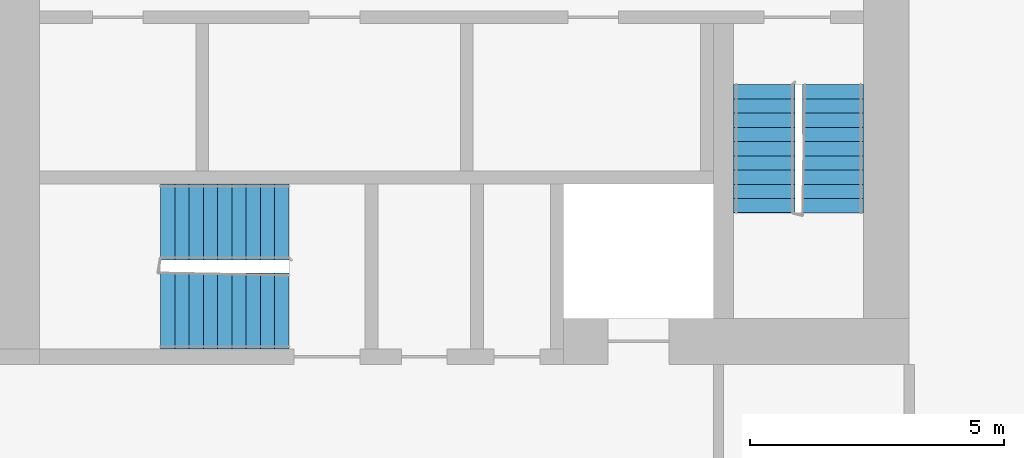
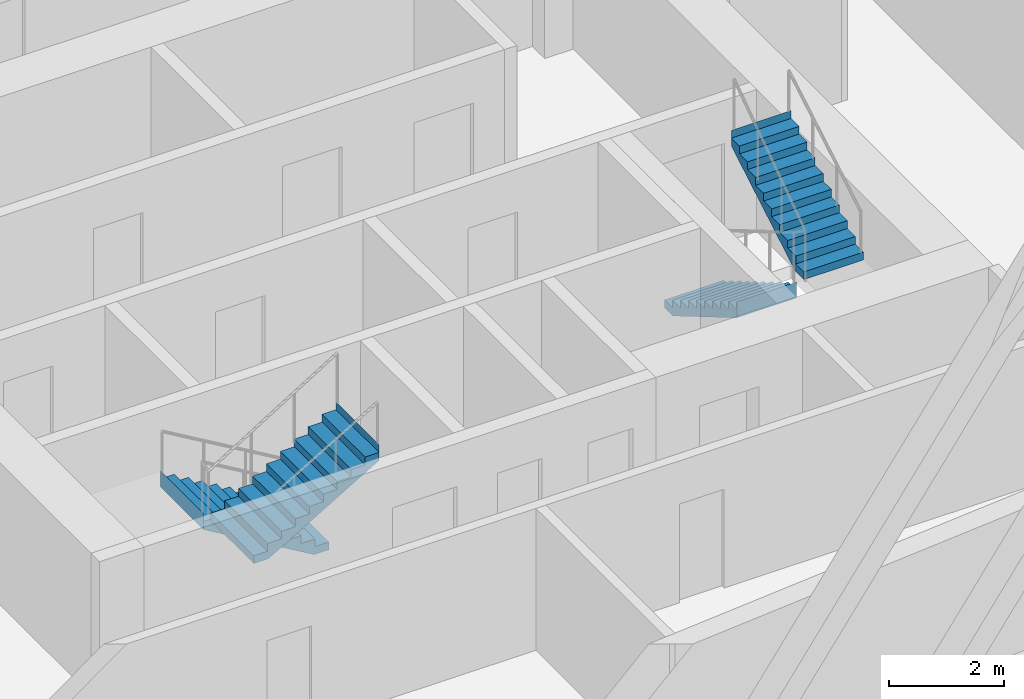
# One storey, part 8 of 12: 4 stair flights, 2 elements without a shape of their own.
"""IFC4 building model written with IfcOpenShell, lengths in metres."""

from ifc_helpers import new_model, si_unit, direction, frame, origin, place, context, subcontext, project, spatial, faceted_brep, material, type_object, element, aggregate, save


model = new_model("IFC4")

# Units and contexts
model_context = context("Model", 3, precision=1e-05, world=origin(), true_north=direction((0.0, 1.0)))
body_context = subcontext(model_context, "Body", "Model", "MODEL_VIEW")
ifc_project = project(units=[si_unit("LENGTHUNIT", "METRE"), si_unit("AREAUNIT", "SQUARE_METRE"), si_unit("VOLUMEUNIT", "CUBIC_METRE"), si_unit("PLANEANGLEUNIT", "RADIAN"), si_unit("MASSUNIT", "GRAM", prefix="KILO")], contexts=[model_context])

# Site, building, storey
site_placement = place(None, origin())
site = spatial("IfcSite", under=ifc_project, at=site_placement, CompositionType="ELEMENT")
building_placement = place(site_placement, origin())
building = spatial("IfcBuilding", under=site, at=building_placement, Name="Kajstack Hotel Tower", CompositionType="ELEMENT")
storey_placement = place(building_placement, frame((0.0, 0.0, 278.39990234375)))
storey = spatial("IfcBuildingStorey", under=building, at=storey_placement, Name="L69", CompositionType="ELEMENT", Elevation=278.39990234375)

# Stair, stair flights
ifc_material = material(Name="Concrete C40/50", Category="concrete")
stair_type_1 = type_object("IfcStairType", Name="Exit stair 1200", PredefinedType="HALF_TURN_STAIR", material=ifc_material)
stair_1_placement = place(storey_placement, origin())
stair_1 = element("IfcStair", 1, at=stair_1_placement, inside=storey, type_object=stair_type_1, Name="L69 stair W2", PredefinedType="HALF_TURN_STAIR")
stair_flight_type_1 = type_object("IfcStairFlightType", Name="Exit stair flight 1200", PredefinedType="STRAIGHT", material=ifc_material)
stair_flight_1_placement = place(storey_placement, frame((-16.35009765625, -10.0, 0.0), z_axis=(0.0, 0.0, 1.0), x_axis=(0.0, -1.0, 0.0)))
stair_flight_1 = element("IfcStairFlight", 2, at=stair_flight_1_placement, type_object=stair_flight_type_1, Name="W2 flight 1", NumberOfRisers=10, NumberOfTreads=9, PredefinedType="STRAIGHT", RiserHeight=0.165, TreadLength=0.28, context=body_context, shape_type="Brep", body=[
    faceted_brep([(0.295654296875, -0.60009765625, 0.0), (2.5205078125, -0.60009765625, 1.31103515625), (2.5205078125, -0.60009765625, 1.64990234375), (2.52001953125, -0.60009765625, 1.64990234375), (2.52001953125, -0.60009765625, 1.485107421875), (2.239990234375, -0.60009765625, 1.485107421875), (2.239990234375, -0.60009765625, 1.320068359375), (1.9599609375, -0.60009765625, 1.320068359375), (1.9599609375, -0.60009765625, 1.155029296875), (1.679931640625, -0.60009765625, 1.155029296875), (1.679931640625, -0.60009765625, 0.989990234375), (1.39990234375, -0.60009765625, 0.989990234375), (1.39990234375, -0.60009765625, 0.824951171875), (1.1201171875, -0.60009765625, 0.824951171875), (1.1201171875, -0.60009765625, 0.659912109375), (0.840087890625, -0.60009765625, 0.659912109375), (0.840087890625, -0.60009765625, 0.4951171875), (0.56005859375, -0.60009765625, 0.4951171875), (0.56005859375, -0.60009765625, 0.330078125), (0.280029296875, -0.60009765625, 0.330078125), (0.280029296875, -0.60009765625, 0.1650390625), (-0.00048828125, -0.60009765625, 0.1650390625), (-0.00048828125, -0.60009765625, 0.0), (-0.00048828125, 0.60009765625, 0.0), (-0.00048828125, 0.60009765625, 0.1650390625), (0.280029296875, 0.60009765625, 0.1650390625), (0.280029296875, 0.60009765625, 0.330078125), (0.56005859375, 0.60009765625, 0.330078125), (0.56005859375, 0.60009765625, 0.4951171875), (0.840087890625, 0.60009765625, 0.4951171875), (0.840087890625, 0.60009765625, 0.659912109375), (1.1201171875, 0.60009765625, 0.659912109375), (1.1201171875, 0.60009765625, 0.824951171875), (1.39990234375, 0.60009765625, 0.824951171875), (1.39990234375, 0.60009765625, 0.989990234375), (1.679931640625, 0.60009765625, 0.989990234375), (1.679931640625, 0.60009765625, 1.155029296875), (1.9599609375, 0.60009765625, 1.155029296875), (1.9599609375, 0.60009765625, 1.320068359375), (2.239990234375, 0.60009765625, 1.320068359375), (2.239990234375, 0.60009765625, 1.485107421875), (2.52001953125, 0.60009765625, 1.485107421875), (2.52001953125, 0.60009765625, 1.64990234375), (2.5205078125, 0.60009765625, 1.64990234375), (2.5205078125, 0.60009765625, 1.31103515625), (0.295654296875, 0.60009765625, 0.0), (-0.00048828125, -0.300048828125, 0.1650390625), (-0.00048828125, 0.0, 0.1650390625), (-0.00048828125, 0.300048828125, 0.1650390625), (-0.00048828125, 0.300048828125, 0.0), (-0.00048828125, 0.0, 0.0), (-0.00048828125, -0.300048828125, 0.0), (0.280029296875, -0.300048828125, 0.1650390625), (0.280029296875, 0.0, 0.1650390625), (0.280029296875, 0.300048828125, 0.1650390625), (0.280029296875, -0.300048828125, 0.330078125), (0.280029296875, 0.0, 0.330078125), (0.280029296875, 0.300048828125, 0.330078125), (0.56005859375, -0.300048828125, 0.330078125), (0.56005859375, 0.0, 0.330078125), (0.56005859375, 0.300048828125, 0.330078125), (0.56005859375, -0.300048828125, 0.4951171875), (0.56005859375, 0.0, 0.4951171875), (0.56005859375, 0.300048828125, 0.4951171875), (0.840087890625, -0.300048828125, 0.4951171875), (0.840087890625, 0.0, 0.4951171875), (0.840087890625, 0.300048828125, 0.4951171875), (0.840087890625, -0.300048828125, 0.659912109375), (0.840087890625, 0.0, 0.659912109375), (0.840087890625, 0.300048828125, 0.659912109375), (1.1201171875, -0.300048828125, 0.659912109375), (1.1201171875, 0.0, 0.659912109375), (1.1201171875, 0.300048828125, 0.659912109375), (1.1201171875, -0.300048828125, 0.824951171875), (1.1201171875, 0.0, 0.824951171875), (1.1201171875, 0.300048828125, 0.824951171875), (1.39990234375, -0.300048828125, 0.824951171875), (1.39990234375, 0.0, 0.824951171875), (1.39990234375, 0.300048828125, 0.824951171875), (1.39990234375, -0.300048828125, 0.989990234375), (1.39990234375, 0.0, 0.989990234375), (1.39990234375, 0.300048828125, 0.989990234375), (1.679931640625, -0.300048828125, 0.989990234375), (1.679931640625, 0.0, 0.989990234375), (1.679931640625, 0.300048828125, 0.989990234375), (1.679931640625, -0.300048828125, 1.155029296875), (1.679931640625, 0.0, 1.155029296875), (1.679931640625, 0.300048828125, 1.155029296875), (1.9599609375, -0.300048828125, 1.155029296875), (1.9599609375, 0.0, 1.155029296875), (1.9599609375, 0.300048828125, 1.155029296875), (1.9599609375, -0.300048828125, 1.320068359375), (1.9599609375, 0.0, 1.320068359375), (1.9599609375, 0.300048828125, 1.320068359375), (2.239990234375, -0.300048828125, 1.320068359375), (2.239990234375, 0.0, 1.320068359375), (2.239990234375, 0.300048828125, 1.320068359375), (2.239990234375, -0.300048828125, 1.485107421875), (2.239990234375, 0.0, 1.485107421875), (2.239990234375, 0.300048828125, 1.485107421875), (2.52001953125, -0.300048828125, 1.485107421875), (2.52001953125, 0.0, 1.485107421875), (2.52001953125, 0.300048828125, 1.485107421875), (2.52001953125, -0.300048828125, 1.64990234375), (2.52001953125, 0.0, 1.64990234375), (2.52001953125, 0.300048828125, 1.64990234375), (2.5205078125, -0.300048828125, 1.64990234375), (2.5205078125, 0.0, 1.64990234375), (2.5205078125, 0.300048828125, 1.64990234375), (2.5205078125, -0.300048828125, 1.31103515625), (2.5205078125, 0.0, 1.31103515625), (2.5205078125, 0.300048828125, 1.31103515625), (0.295654296875, -0.300048828125, 0.0), (0.295654296875, 0.0, 0.0), (0.295654296875, 0.300048828125, 0.0)], [[[0, 1, 2, 3, 4, 5, 6, 7, 8, 9, 10, 11, 12, 13, 14, 15, 16, 17, 18, 19, 20, 21, 22]], [[23, 24, 25, 26, 27, 28, 29, 30, 31, 32, 33, 34, 35, 36, 37, 38, 39, 40, 41, 42, 43, 44, 45]], [[21, 46, 47, 48, 24, 23, 49, 50, 51, 22]], [[20, 52, 53, 54, 25, 24, 48, 47, 46, 21]], [[19, 55, 56, 57, 26, 25, 54, 53, 52, 20]], [[18, 58, 59, 60, 27, 26, 57, 56, 55, 19]], [[17, 61, 62, 63, 28, 27, 60, 59, 58, 18]], [[16, 64, 65, 66, 29, 28, 63, 62, 61, 17]], [[15, 67, 68, 69, 30, 29, 66, 65, 64, 16]], [[14, 70, 71, 72, 31, 30, 69, 68, 67, 15]], [[13, 73, 74, 75, 32, 31, 72, 71, 70, 14]], [[12, 76, 77, 78, 33, 32, 75, 74, 73, 13]], [[11, 79, 80, 81, 34, 33, 78, 77, 76, 12]], [[10, 82, 83, 84, 35, 34, 81, 80, 79, 11]], [[9, 85, 86, 87, 36, 35, 84, 83, 82, 10]], [[8, 88, 89, 90, 37, 36, 87, 86, 85, 9]], [[7, 91, 92, 93, 38, 37, 90, 89, 88, 8]], [[6, 94, 95, 96, 39, 38, 93, 92, 91, 7]], [[5, 97, 98, 99, 40, 39, 96, 95, 94, 6]], [[4, 100, 101, 102, 41, 40, 99, 98, 97, 5]], [[3, 103, 104, 105, 42, 41, 102, 101, 100, 4]], [[2, 106, 107, 108, 43, 42, 105, 104, 103, 3]], [[1, 109, 110, 111, 44, 43, 108, 107, 106, 2]], [[0, 112, 113, 114, 45, 44, 111, 110, 109, 1]], [[22, 51, 50, 49, 23, 45, 114, 113, 112, 0]]]),
])
stair_flight_2_placement = place(storey_placement, frame((-15.0, -12.52001953125, 1.650146484375), z_axis=(0.0, 0.0, 1.0), x_axis=(0.0, 1.0, 0.0)))
stair_flight_2 = element("IfcStairFlight", 3, at=stair_flight_2_placement, type_object=stair_flight_type_1, Name="W2 flight 2", NumberOfRisers=10, NumberOfTreads=9, PredefinedType="STRAIGHT", RiserHeight=0.165, TreadLength=0.28, context=body_context, shape_type="Brep", body=[
    faceted_brep([(0.295654296875, -0.60009765625, 0.0), (2.5205078125, -0.60009765625, 1.31103515625), (2.5205078125, -0.60009765625, 1.64990234375), (2.52001953125, -0.60009765625, 1.64990234375), (2.52001953125, -0.60009765625, 1.485107421875), (2.239990234375, -0.60009765625, 1.485107421875), (2.239990234375, -0.60009765625, 1.320068359375), (1.9599609375, -0.60009765625, 1.320068359375), (1.9599609375, -0.60009765625, 1.155029296875), (1.679931640625, -0.60009765625, 1.155029296875), (1.679931640625, -0.60009765625, 0.989990234375), (1.39990234375, -0.60009765625, 0.989990234375), (1.39990234375, -0.60009765625, 0.824951171875), (1.1201171875, -0.60009765625, 0.824951171875), (1.1201171875, -0.60009765625, 0.659912109375), (0.840087890625, -0.60009765625, 0.659912109375), (0.840087890625, -0.60009765625, 0.4951171875), (0.56005859375, -0.60009765625, 0.4951171875), (0.56005859375, -0.60009765625, 0.330078125), (0.280029296875, -0.60009765625, 0.330078125), (0.280029296875, -0.60009765625, 0.1650390625), (-0.00048828125, -0.60009765625, 0.1650390625), (-0.00048828125, -0.60009765625, 0.0), (-0.00048828125, 0.60009765625, 0.0), (-0.00048828125, 0.60009765625, 0.1650390625), (0.280029296875, 0.60009765625, 0.1650390625), (0.280029296875, 0.60009765625, 0.330078125), (0.56005859375, 0.60009765625, 0.330078125), (0.56005859375, 0.60009765625, 0.4951171875), (0.840087890625, 0.60009765625, 0.4951171875), (0.840087890625, 0.60009765625, 0.659912109375), (1.1201171875, 0.60009765625, 0.659912109375), (1.1201171875, 0.60009765625, 0.824951171875), (1.39990234375, 0.60009765625, 0.824951171875), (1.39990234375, 0.60009765625, 0.989990234375), (1.679931640625, 0.60009765625, 0.989990234375), (1.679931640625, 0.60009765625, 1.155029296875), (1.9599609375, 0.60009765625, 1.155029296875), (1.9599609375, 0.60009765625, 1.320068359375), (2.239990234375, 0.60009765625, 1.320068359375), (2.239990234375, 0.60009765625, 1.485107421875), (2.52001953125, 0.60009765625, 1.485107421875), (2.52001953125, 0.60009765625, 1.64990234375), (2.5205078125, 0.60009765625, 1.64990234375), (2.5205078125, 0.60009765625, 1.31103515625), (0.295654296875, 0.60009765625, 0.0), (-0.00048828125, -0.300048828125, 0.1650390625), (-0.00048828125, 0.0, 0.1650390625), (-0.00048828125, 0.300048828125, 0.1650390625), (-0.00048828125, 0.300048828125, 0.0), (-0.00048828125, 0.0, 0.0), (-0.00048828125, -0.300048828125, 0.0), (0.280029296875, -0.300048828125, 0.1650390625), (0.280029296875, 0.0, 0.1650390625), (0.280029296875, 0.300048828125, 0.1650390625), (0.280029296875, -0.300048828125, 0.330078125), (0.280029296875, 0.0, 0.330078125), (0.280029296875, 0.300048828125, 0.330078125), (0.56005859375, -0.300048828125, 0.330078125), (0.56005859375, 0.0, 0.330078125), (0.56005859375, 0.300048828125, 0.330078125), (0.56005859375, -0.300048828125, 0.4951171875), (0.56005859375, 0.0, 0.4951171875), (0.56005859375, 0.300048828125, 0.4951171875), (0.840087890625, -0.300048828125, 0.4951171875), (0.840087890625, 0.0, 0.4951171875), (0.840087890625, 0.300048828125, 0.4951171875), (0.840087890625, -0.300048828125, 0.659912109375), (0.840087890625, 0.0, 0.659912109375), (0.840087890625, 0.300048828125, 0.659912109375), (1.1201171875, -0.300048828125, 0.659912109375), (1.1201171875, 0.0, 0.659912109375), (1.1201171875, 0.300048828125, 0.659912109375), (1.1201171875, -0.300048828125, 0.824951171875), (1.1201171875, 0.0, 0.824951171875), (1.1201171875, 0.300048828125, 0.824951171875), (1.39990234375, -0.300048828125, 0.824951171875), (1.39990234375, 0.0, 0.824951171875), (1.39990234375, 0.300048828125, 0.824951171875), (1.39990234375, -0.300048828125, 0.989990234375), (1.39990234375, 0.0, 0.989990234375), (1.39990234375, 0.300048828125, 0.989990234375), (1.679931640625, -0.300048828125, 0.989990234375), (1.679931640625, 0.0, 0.989990234375), (1.679931640625, 0.300048828125, 0.989990234375), (1.679931640625, -0.300048828125, 1.155029296875), (1.679931640625, 0.0, 1.155029296875), (1.679931640625, 0.300048828125, 1.155029296875), (1.9599609375, -0.300048828125, 1.155029296875), (1.9599609375, 0.0, 1.155029296875), (1.9599609375, 0.300048828125, 1.155029296875), (1.9599609375, -0.300048828125, 1.320068359375), (1.9599609375, 0.0, 1.320068359375), (1.9599609375, 0.300048828125, 1.320068359375), (2.239990234375, -0.300048828125, 1.320068359375), (2.239990234375, 0.0, 1.320068359375), (2.239990234375, 0.300048828125, 1.320068359375), (2.239990234375, -0.300048828125, 1.485107421875), (2.239990234375, 0.0, 1.485107421875), (2.239990234375, 0.300048828125, 1.485107421875), (2.52001953125, -0.300048828125, 1.485107421875), (2.52001953125, 0.0, 1.485107421875), (2.52001953125, 0.300048828125, 1.485107421875), (2.52001953125, -0.300048828125, 1.64990234375), (2.52001953125, 0.0, 1.64990234375), (2.52001953125, 0.300048828125, 1.64990234375), (2.5205078125, -0.300048828125, 1.64990234375), (2.5205078125, 0.0, 1.64990234375), (2.5205078125, 0.300048828125, 1.64990234375), (2.5205078125, -0.300048828125, 1.31103515625), (2.5205078125, 0.0, 1.31103515625), (2.5205078125, 0.300048828125, 1.31103515625), (0.295654296875, -0.300048828125, 0.0), (0.295654296875, 0.0, 0.0), (0.295654296875, 0.300048828125, 0.0)], [[[0, 1, 2, 3, 4, 5, 6, 7, 8, 9, 10, 11, 12, 13, 14, 15, 16, 17, 18, 19, 20, 21, 22]], [[23, 24, 25, 26, 27, 28, 29, 30, 31, 32, 33, 34, 35, 36, 37, 38, 39, 40, 41, 42, 43, 44, 45]], [[21, 46, 47, 48, 24, 23, 49, 50, 51, 22]], [[20, 52, 53, 54, 25, 24, 48, 47, 46, 21]], [[19, 55, 56, 57, 26, 25, 54, 53, 52, 20]], [[18, 58, 59, 60, 27, 26, 57, 56, 55, 19]], [[17, 61, 62, 63, 28, 27, 60, 59, 58, 18]], [[16, 64, 65, 66, 29, 28, 63, 62, 61, 17]], [[15, 67, 68, 69, 30, 29, 66, 65, 64, 16]], [[14, 70, 71, 72, 31, 30, 69, 68, 67, 15]], [[13, 73, 74, 75, 32, 31, 72, 71, 70, 14]], [[12, 76, 77, 78, 33, 32, 75, 74, 73, 13]], [[11, 79, 80, 81, 34, 33, 78, 77, 76, 12]], [[10, 82, 83, 84, 35, 34, 81, 80, 79, 11]], [[9, 85, 86, 87, 36, 35, 84, 83, 82, 10]], [[8, 88, 89, 90, 37, 36, 87, 86, 85, 9]], [[7, 91, 92, 93, 38, 37, 90, 89, 88, 8]], [[6, 94, 95, 96, 39, 38, 93, 92, 91, 7]], [[5, 97, 98, 99, 40, 39, 96, 95, 94, 6]], [[4, 100, 101, 102, 41, 40, 99, 98, 97, 5]], [[3, 103, 104, 105, 42, 41, 102, 101, 100, 4]], [[2, 106, 107, 108, 43, 42, 105, 104, 103, 3]], [[1, 109, 110, 111, 44, 43, 108, 107, 106, 2]], [[0, 112, 113, 114, 45, 44, 111, 110, 109, 1]], [[22, 51, 50, 49, 23, 45, 114, 113, 112, 0]]]),
])
aggregate(stair_1, [stair_flight_1, stair_flight_2])

stair_type_2 = type_object("IfcStairType", Name="Exit stair 1500", PredefinedType="HALF_TURN_STAIR", material=ifc_material)
stair_2_placement = place(storey_placement, origin())
stair_2 = element("IfcStair", 4, at=stair_2_placement, inside=storey, type_object=stair_type_2, Name="L69 stair W3", PredefinedType="HALF_TURN_STAIR")
stair_flight_type_2 = type_object("IfcStairFlightType", Name="Exit stair flight 1500", PredefinedType="STRAIGHT", material=ifc_material)
stair_flight_3_placement = place(storey_placement, frame((-25.699951171875, -12.699951171875, 0.0), z_axis=(0.0, 0.0, 1.0), x_axis=(-1.0, 0.0, 0.0)))
stair_flight_3 = element("IfcStairFlight", 5, at=stair_flight_3_placement, type_object=stair_flight_type_2, Name="W3 flight 1", NumberOfRisers=10, NumberOfTreads=9, PredefinedType="STRAIGHT", RiserHeight=0.165, TreadLength=0.28, context=body_context, shape_type="Brep", body=[
    faceted_brep([(0.295654296875, -0.75, 0.0), (2.5205078125, -0.75, 1.31103515625), (2.5205078125, -0.75, 1.64990234375), (2.52001953125, -0.75, 1.64990234375), (2.52001953125, -0.75, 1.485107421875), (2.239990234375, -0.75, 1.485107421875), (2.239990234375, -0.75, 1.320068359375), (1.9599609375, -0.75, 1.320068359375), (1.9599609375, -0.75, 1.155029296875), (1.679931640625, -0.75, 1.155029296875), (1.679931640625, -0.75, 0.989990234375), (1.39990234375, -0.75, 0.989990234375), (1.39990234375, -0.75, 0.824951171875), (1.1201171875, -0.75, 0.824951171875), (1.1201171875, -0.75, 0.659912109375), (0.840087890625, -0.75, 0.659912109375), (0.840087890625, -0.75, 0.4951171875), (0.56005859375, -0.75, 0.4951171875), (0.56005859375, -0.75, 0.330078125), (0.280029296875, -0.75, 0.330078125), (0.280029296875, -0.75, 0.1650390625), (-0.00048828125, -0.75, 0.1650390625), (-0.00048828125, -0.75, 0.0), (-0.00048828125, 0.75, 0.0), (-0.00048828125, 0.75, 0.1650390625), (0.280029296875, 0.75, 0.1650390625), (0.280029296875, 0.75, 0.330078125), (0.56005859375, 0.75, 0.330078125), (0.56005859375, 0.75, 0.4951171875), (0.840087890625, 0.75, 0.4951171875), (0.840087890625, 0.75, 0.659912109375), (1.1201171875, 0.75, 0.659912109375), (1.1201171875, 0.75, 0.824951171875), (1.39990234375, 0.75, 0.824951171875), (1.39990234375, 0.75, 0.989990234375), (1.679931640625, 0.75, 0.989990234375), (1.679931640625, 0.75, 1.155029296875), (1.9599609375, 0.75, 1.155029296875), (1.9599609375, 0.75, 1.320068359375), (2.239990234375, 0.75, 1.320068359375), (2.239990234375, 0.75, 1.485107421875), (2.52001953125, 0.75, 1.485107421875), (2.52001953125, 0.75, 1.64990234375), (2.5205078125, 0.75, 1.64990234375), (2.5205078125, 0.75, 1.31103515625), (0.295654296875, 0.75, 0.0), (-0.00048828125, -0.375, 0.1650390625), (-0.00048828125, 0.0, 0.1650390625), (-0.00048828125, 0.375, 0.1650390625), (-0.00048828125, 0.375, 0.0), (-0.00048828125, 0.0, 0.0), (-0.00048828125, -0.375, 0.0), (0.280029296875, -0.375, 0.1650390625), (0.280029296875, 0.0, 0.1650390625), (0.280029296875, 0.375, 0.1650390625), (0.280029296875, -0.375, 0.330078125), (0.280029296875, 0.0, 0.330078125), (0.280029296875, 0.375, 0.330078125), (0.56005859375, -0.375, 0.330078125), (0.56005859375, 0.0, 0.330078125), (0.56005859375, 0.375, 0.330078125), (0.56005859375, -0.375, 0.4951171875), (0.56005859375, 0.0, 0.4951171875), (0.56005859375, 0.375, 0.4951171875), (0.840087890625, -0.375, 0.4951171875), (0.840087890625, 0.0, 0.4951171875), (0.840087890625, 0.375, 0.4951171875), (0.840087890625, -0.375, 0.659912109375), (0.840087890625, 0.0, 0.659912109375), (0.840087890625, 0.375, 0.659912109375), (1.1201171875, -0.375, 0.659912109375), (1.1201171875, 0.0, 0.659912109375), (1.1201171875, 0.375, 0.659912109375), (1.1201171875, -0.375, 0.824951171875), (1.1201171875, 0.0, 0.824951171875), (1.1201171875, 0.375, 0.824951171875), (1.39990234375, -0.375, 0.824951171875), (1.39990234375, 0.0, 0.824951171875), (1.39990234375, 0.375, 0.824951171875), (1.39990234375, -0.375, 0.989990234375), (1.39990234375, 0.0, 0.989990234375), (1.39990234375, 0.375, 0.989990234375), (1.679931640625, -0.375, 0.989990234375), (1.679931640625, 0.0, 0.989990234375), (1.679931640625, 0.375, 0.989990234375), (1.679931640625, -0.375, 1.155029296875), (1.679931640625, 0.0, 1.155029296875), (1.679931640625, 0.375, 1.155029296875), (1.9599609375, -0.375, 1.155029296875), (1.9599609375, 0.0, 1.155029296875), (1.9599609375, 0.375, 1.155029296875), (1.9599609375, -0.375, 1.320068359375), (1.9599609375, 0.0, 1.320068359375), (1.9599609375, 0.375, 1.320068359375), (2.239990234375, -0.375, 1.320068359375), (2.239990234375, 0.0, 1.320068359375), (2.239990234375, 0.375, 1.320068359375), (2.239990234375, -0.375, 1.485107421875), (2.239990234375, 0.0, 1.485107421875), (2.239990234375, 0.375, 1.485107421875), (2.52001953125, -0.375, 1.485107421875), (2.52001953125, 0.0, 1.485107421875), (2.52001953125, 0.375, 1.485107421875), (2.52001953125, -0.375, 1.64990234375), (2.52001953125, 0.0, 1.64990234375), (2.52001953125, 0.375, 1.64990234375), (2.5205078125, -0.375, 1.64990234375), (2.5205078125, 0.0, 1.64990234375), (2.5205078125, 0.375, 1.64990234375), (2.5205078125, -0.375, 1.31103515625), (2.5205078125, 0.0, 1.31103515625), (2.5205078125, 0.375, 1.31103515625), (0.295654296875, -0.375, 0.0), (0.295654296875, 0.0, 0.0), (0.295654296875, 0.375, 0.0)], [[[0, 1, 2, 3, 4, 5, 6, 7, 8, 9, 10, 11, 12, 13, 14, 15, 16, 17, 18, 19, 20, 21, 22]], [[23, 24, 25, 26, 27, 28, 29, 30, 31, 32, 33, 34, 35, 36, 37, 38, 39, 40, 41, 42, 43, 44, 45]], [[21, 46, 47, 48, 24, 23, 49, 50, 51, 22]], [[20, 52, 53, 54, 25, 24, 48, 47, 46, 21]], [[19, 55, 56, 57, 26, 25, 54, 53, 52, 20]], [[18, 58, 59, 60, 27, 26, 57, 56, 55, 19]], [[17, 61, 62, 63, 28, 27, 60, 59, 58, 18]], [[16, 64, 65, 66, 29, 28, 63, 62, 61, 17]], [[15, 67, 68, 69, 30, 29, 66, 65, 64, 16]], [[14, 70, 71, 72, 31, 30, 69, 68, 67, 15]], [[13, 73, 74, 75, 32, 31, 72, 71, 70, 14]], [[12, 76, 77, 78, 33, 32, 75, 74, 73, 13]], [[11, 79, 80, 81, 34, 33, 78, 77, 76, 12]], [[10, 82, 83, 84, 35, 34, 81, 80, 79, 11]], [[9, 85, 86, 87, 36, 35, 84, 83, 82, 10]], [[8, 88, 89, 90, 37, 36, 87, 86, 85, 9]], [[7, 91, 92, 93, 38, 37, 90, 89, 88, 8]], [[6, 94, 95, 96, 39, 38, 93, 92, 91, 7]], [[5, 97, 98, 99, 40, 39, 96, 95, 94, 6]], [[4, 100, 101, 102, 41, 40, 99, 98, 97, 5]], [[3, 103, 104, 105, 42, 41, 102, 101, 100, 4]], [[2, 106, 107, 108, 43, 42, 105, 104, 103, 3]], [[1, 109, 110, 111, 44, 43, 108, 107, 106, 2]], [[0, 112, 113, 114, 45, 44, 111, 110, 109, 1]], [[22, 51, 50, 49, 23, 45, 114, 113, 112, 0]]]),
])
stair_flight_4_placement = place(storey_placement, frame((-28.219970703125, -14.449951171875, 1.650146484375), z_axis=(0.0, 0.0, 1.0), x_axis=(1.0, 0.0, 0.0)))
stair_flight_4 = element("IfcStairFlight", 6, at=stair_flight_4_placement, type_object=stair_flight_type_2, Name="W3 flight 2", NumberOfRisers=10, NumberOfTreads=9, PredefinedType="STRAIGHT", RiserHeight=0.165, TreadLength=0.28, context=body_context, shape_type="Brep", body=[
    faceted_brep([(0.295654296875, -0.75, 0.0), (2.5205078125, -0.75, 1.31103515625), (2.5205078125, -0.75, 1.64990234375), (2.52001953125, -0.75, 1.64990234375), (2.52001953125, -0.75, 1.485107421875), (2.239990234375, -0.75, 1.485107421875), (2.239990234375, -0.75, 1.320068359375), (1.9599609375, -0.75, 1.320068359375), (1.9599609375, -0.75, 1.155029296875), (1.679931640625, -0.75, 1.155029296875), (1.679931640625, -0.75, 0.989990234375), (1.39990234375, -0.75, 0.989990234375), (1.39990234375, -0.75, 0.824951171875), (1.1201171875, -0.75, 0.824951171875), (1.1201171875, -0.75, 0.659912109375), (0.840087890625, -0.75, 0.659912109375), (0.840087890625, -0.75, 0.4951171875), (0.56005859375, -0.75, 0.4951171875), (0.56005859375, -0.75, 0.330078125), (0.280029296875, -0.75, 0.330078125), (0.280029296875, -0.75, 0.1650390625), (-0.00048828125, -0.75, 0.1650390625), (-0.00048828125, -0.75, 0.0), (-0.00048828125, 0.75, 0.0), (-0.00048828125, 0.75, 0.1650390625), (0.280029296875, 0.75, 0.1650390625), (0.280029296875, 0.75, 0.330078125), (0.56005859375, 0.75, 0.330078125), (0.56005859375, 0.75, 0.4951171875), (0.840087890625, 0.75, 0.4951171875), (0.840087890625, 0.75, 0.659912109375), (1.1201171875, 0.75, 0.659912109375), (1.1201171875, 0.75, 0.824951171875), (1.39990234375, 0.75, 0.824951171875), (1.39990234375, 0.75, 0.989990234375), (1.679931640625, 0.75, 0.989990234375), (1.679931640625, 0.75, 1.155029296875), (1.9599609375, 0.75, 1.155029296875), (1.9599609375, 0.75, 1.320068359375), (2.239990234375, 0.75, 1.320068359375), (2.239990234375, 0.75, 1.485107421875), (2.52001953125, 0.75, 1.485107421875), (2.52001953125, 0.75, 1.64990234375), (2.5205078125, 0.75, 1.64990234375), (2.5205078125, 0.75, 1.31103515625), (0.295654296875, 0.75, 0.0), (-0.00048828125, -0.375, 0.1650390625), (-0.00048828125, 0.0, 0.1650390625), (-0.00048828125, 0.375, 0.1650390625), (-0.00048828125, 0.375, 0.0), (-0.00048828125, 0.0, 0.0), (-0.00048828125, -0.375, 0.0), (0.280029296875, -0.375, 0.1650390625), (0.280029296875, 0.0, 0.1650390625), (0.280029296875, 0.375, 0.1650390625), (0.280029296875, -0.375, 0.330078125), (0.280029296875, 0.0, 0.330078125), (0.280029296875, 0.375, 0.330078125), (0.56005859375, -0.375, 0.330078125), (0.56005859375, 0.0, 0.330078125), (0.56005859375, 0.375, 0.330078125), (0.56005859375, -0.375, 0.4951171875), (0.56005859375, 0.0, 0.4951171875), (0.56005859375, 0.375, 0.4951171875), (0.840087890625, -0.375, 0.4951171875), (0.840087890625, 0.0, 0.4951171875), (0.840087890625, 0.375, 0.4951171875), (0.840087890625, -0.375, 0.659912109375), (0.840087890625, 0.0, 0.659912109375), (0.840087890625, 0.375, 0.659912109375), (1.1201171875, -0.375, 0.659912109375), (1.1201171875, 0.0, 0.659912109375), (1.1201171875, 0.375, 0.659912109375), (1.1201171875, -0.375, 0.824951171875), (1.1201171875, 0.0, 0.824951171875), (1.1201171875, 0.375, 0.824951171875), (1.39990234375, -0.375, 0.824951171875), (1.39990234375, 0.0, 0.824951171875), (1.39990234375, 0.375, 0.824951171875), (1.39990234375, -0.375, 0.989990234375), (1.39990234375, 0.0, 0.989990234375), (1.39990234375, 0.375, 0.989990234375), (1.679931640625, -0.375, 0.989990234375), (1.679931640625, 0.0, 0.989990234375), (1.679931640625, 0.375, 0.989990234375), (1.679931640625, -0.375, 1.155029296875), (1.679931640625, 0.0, 1.155029296875), (1.679931640625, 0.375, 1.155029296875), (1.9599609375, -0.375, 1.155029296875), (1.9599609375, 0.0, 1.155029296875), (1.9599609375, 0.375, 1.155029296875), (1.9599609375, -0.375, 1.320068359375), (1.9599609375, 0.0, 1.320068359375), (1.9599609375, 0.375, 1.320068359375), (2.239990234375, -0.375, 1.320068359375), (2.239990234375, 0.0, 1.320068359375), (2.239990234375, 0.375, 1.320068359375), (2.239990234375, -0.375, 1.485107421875), (2.239990234375, 0.0, 1.485107421875), (2.239990234375, 0.375, 1.485107421875), (2.52001953125, -0.375, 1.485107421875), (2.52001953125, 0.0, 1.485107421875), (2.52001953125, 0.375, 1.485107421875), (2.52001953125, -0.375, 1.64990234375), (2.52001953125, 0.0, 1.64990234375), (2.52001953125, 0.375, 1.64990234375), (2.5205078125, -0.375, 1.64990234375), (2.5205078125, 0.0, 1.64990234375), (2.5205078125, 0.375, 1.64990234375), (2.5205078125, -0.375, 1.31103515625), (2.5205078125, 0.0, 1.31103515625), (2.5205078125, 0.375, 1.31103515625), (0.295654296875, -0.375, 0.0), (0.295654296875, 0.0, 0.0), (0.295654296875, 0.375, 0.0)], [[[0, 1, 2, 3, 4, 5, 6, 7, 8, 9, 10, 11, 12, 13, 14, 15, 16, 17, 18, 19, 20, 21, 22]], [[23, 24, 25, 26, 27, 28, 29, 30, 31, 32, 33, 34, 35, 36, 37, 38, 39, 40, 41, 42, 43, 44, 45]], [[21, 46, 47, 48, 24, 23, 49, 50, 51, 22]], [[20, 52, 53, 54, 25, 24, 48, 47, 46, 21]], [[19, 55, 56, 57, 26, 25, 54, 53, 52, 20]], [[18, 58, 59, 60, 27, 26, 57, 56, 55, 19]], [[17, 61, 62, 63, 28, 27, 60, 59, 58, 18]], [[16, 64, 65, 66, 29, 28, 63, 62, 61, 17]], [[15, 67, 68, 69, 30, 29, 66, 65, 64, 16]], [[14, 70, 71, 72, 31, 30, 69, 68, 67, 15]], [[13, 73, 74, 75, 32, 31, 72, 71, 70, 14]], [[12, 76, 77, 78, 33, 32, 75, 74, 73, 13]], [[11, 79, 80, 81, 34, 33, 78, 77, 76, 12]], [[10, 82, 83, 84, 35, 34, 81, 80, 79, 11]], [[9, 85, 86, 87, 36, 35, 84, 83, 82, 10]], [[8, 88, 89, 90, 37, 36, 87, 86, 85, 9]], [[7, 91, 92, 93, 38, 37, 90, 89, 88, 8]], [[6, 94, 95, 96, 39, 38, 93, 92, 91, 7]], [[5, 97, 98, 99, 40, 39, 96, 95, 94, 6]], [[4, 100, 101, 102, 41, 40, 99, 98, 97, 5]], [[3, 103, 104, 105, 42, 41, 102, 101, 100, 4]], [[2, 106, 107, 108, 43, 42, 105, 104, 103, 3]], [[1, 109, 110, 111, 44, 43, 108, 107, 106, 2]], [[0, 112, 113, 114, 45, 44, 111, 110, 109, 1]], [[22, 51, 50, 49, 23, 45, 114, 113, 112, 0]]]),
])
aggregate(stair_2, [stair_flight_3, stair_flight_4])

save(model, "model.ifc")
